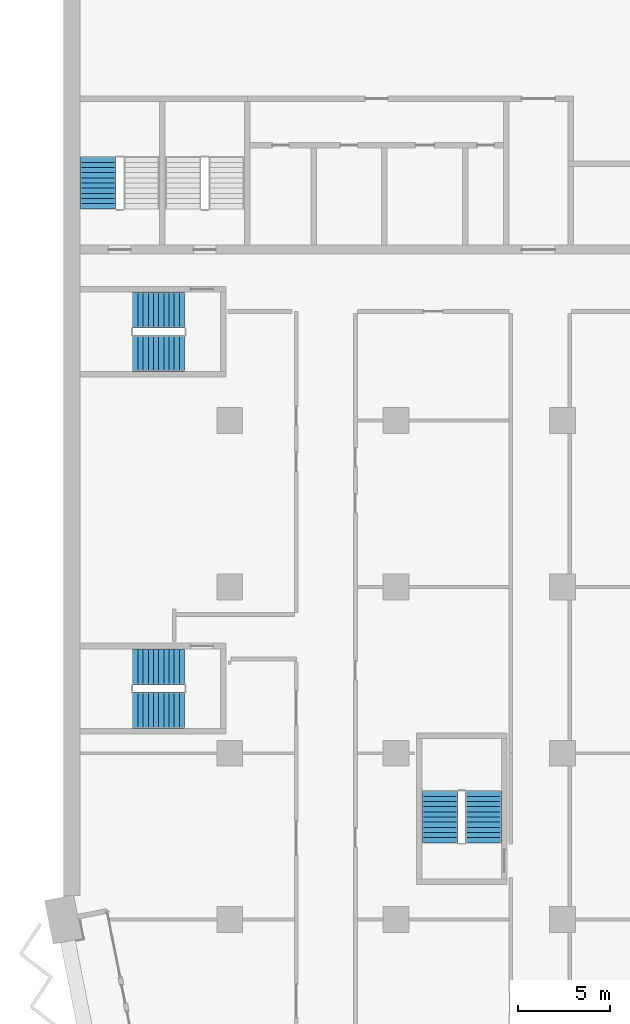
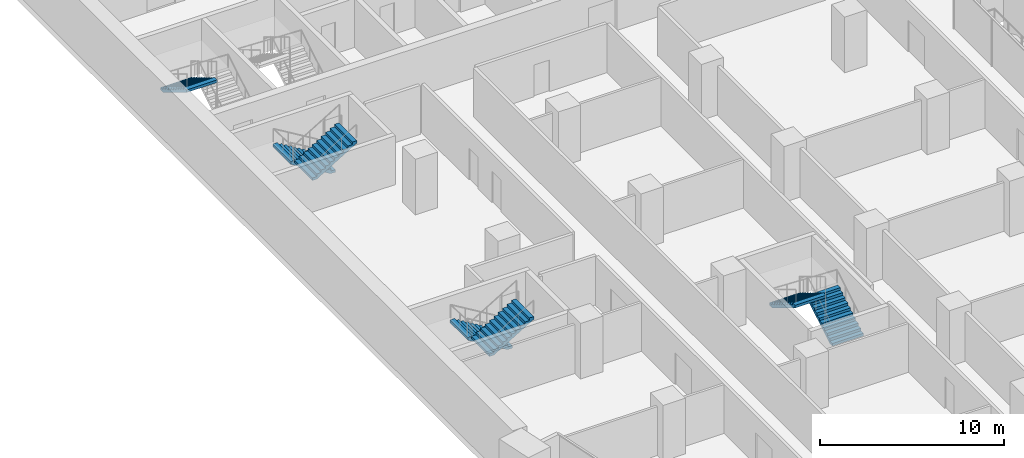
# One storey, part 19 of 28: 7 stair flights, 4 elements without a shape of their own.
"""IFC4 building model written with IfcOpenShell, lengths in metres."""

from ifc_helpers import new_model, si_unit, direction, frame, origin, place, context, subcontext, project, spatial, polyline, outline, extrude, material, type_object, element, aggregate, save


model = new_model("IFC4")

# Units and contexts
model_context = context("Model", 3, precision=1e-05, world=origin(), true_north=direction((0.0, 1.0)))
body_context = subcontext(model_context, "Body", "Model", "MODEL_VIEW")
ifc_project = project(units=[si_unit("LENGTHUNIT", "METRE"), si_unit("AREAUNIT", "SQUARE_METRE"), si_unit("VOLUMEUNIT", "CUBIC_METRE"), si_unit("PLANEANGLEUNIT", "RADIAN"), si_unit("MASSUNIT", "GRAM", prefix="KILO")], contexts=[model_context])

# Site, building, storey
site_placement = place(None, origin())
site = spatial("IfcSite", under=ifc_project, at=site_placement, CompositionType="ELEMENT")
building_placement = place(site_placement, origin())
building = spatial("IfcBuilding", under=site, at=building_placement, Name="Hunhe Ridgeline Campus", CompositionType="ELEMENT")
storey_placement = place(building_placement, frame((0.0, 0.0, 76.5)))
storey = spatial("IfcBuildingStorey", under=building, at=storey_placement, Name="L18", CompositionType="ELEMENT", Elevation=76.5)

# Stair, stair flight
ifc_material = material(Name="Concrete C40", Category="concrete")
stair_type = type_object("IfcStairType", Name="Reinforced concrete dog-leg stair 1950 Concrete C40", PredefinedType="HALF_TURN_STAIR", material=ifc_material)
stair_1_placement = place(storey_placement, origin())
stair_1 = element("IfcStair", 1, at=stair_1_placement, inside=storey, type_object=stair_type, Name="L18 S3", PredefinedType="HALF_TURN_STAIR")
stair_flight_type = type_object("IfcStairFlightType", Name="Reinforced concrete stair flight 1950 Concrete C40", PredefinedType="STRAIGHT", material=ifc_material)
stair_flight_1_placement = place(storey_placement, frame((1.875, 68.25, 1.85009765625), z_axis=(0.0, 0.0, 1.0), x_axis=(0.0, -1.0, 0.0)))
stair_flight_1 = element("IfcStairFlight", 2, at=stair_flight_1_placement, type_object=stair_flight_type, Name="ST3 flight 2", NumberOfRisers=11, NumberOfTreads=10, PredefinedType="STRAIGHT", RiserHeight=0.168181818, TreadLength=0.28, context=body_context, shape_type="SweptSolid", body=[
    extrude(outline(polyline([(0.0, 0.0), (0.0, 0.168212890625), (0.280029296875, 0.168212890625), (0.280029296875, 0.33642578125), (0.56005859375, 0.33642578125), (0.56005859375, 0.504638671875), (0.840087890625, 0.504638671875), (0.840087890625, 0.672607421875), (1.1201171875, 0.672607421875), (1.1201171875, 0.8408203125), (1.39990234375, 0.8408203125), (1.39990234375, 1.009033203125), (1.679931640625, 1.009033203125), (1.679931640625, 1.17724609375), (1.9599609375, 1.17724609375), (1.9599609375, 1.345458984375), (2.239990234375, 1.345458984375), (2.239990234375, 1.513671875), (2.52001953125, 1.513671875), (2.52001953125, 1.681884765625), (2.800048828125, 1.681884765625), (2.800048828125, 1.85009765625), (2.800048828125, 1.5068359375), (0.291015625, 0.0), (0.0, 0.0)])), frame((0.0, 0.97509765625, 0.0), z_axis=(0.0, -1.0, 0.0), x_axis=(1.0, 0.0, 0.0)), (0.0, 0.0, 1.0), 1.949951171875),
    extrude(outline(polyline([(0.030029296875, 0.030029296875), (0.030029296875, 0.13818359375), (0.31005859375, 0.13818359375), (0.31005859375, 0.306396484375), (0.590087890625, 0.306396484375), (0.590087890625, 0.474609375), (0.8701171875, 0.474609375), (0.8701171875, 0.642578125), (1.14990234375, 0.642578125), (1.14990234375, 0.810791015625), (1.429931640625, 0.810791015625), (1.429931640625, 0.97900390625), (1.7099609375, 0.97900390625), (1.7099609375, 1.147216796875), (1.989990234375, 1.147216796875), (1.989990234375, 1.3154296875), (2.27001953125, 1.3154296875), (2.27001953125, 1.483642578125), (2.550048828125, 1.483642578125), (2.550048828125, 1.65185546875), (2.77001953125, 1.65185546875), (2.77001953125, 1.52392578125), (0.28271484375, 0.030029296875), (0.030029296875, 0.030029296875)])), frame((0.0, -0.070068359375, 0.0), z_axis=(0.0, -1.0, 0.0), x_axis=(1.0, 0.0, 0.0)), (0.0, 0.0, 1.0), 0.019775390625),
    extrude(outline(polyline([(0.030029296875, 0.030029296875), (0.030029296875, 0.13818359375), (0.31005859375, 0.13818359375), (0.31005859375, 0.306396484375), (0.590087890625, 0.306396484375), (0.590087890625, 0.474609375), (0.8701171875, 0.474609375), (0.8701171875, 0.642578125), (1.14990234375, 0.642578125), (1.14990234375, 0.810791015625), (1.429931640625, 0.810791015625), (1.429931640625, 0.97900390625), (1.7099609375, 0.97900390625), (1.7099609375, 1.147216796875), (1.989990234375, 1.147216796875), (1.989990234375, 1.3154296875), (2.27001953125, 1.3154296875), (2.27001953125, 1.483642578125), (2.550048828125, 1.483642578125), (2.550048828125, 1.65185546875), (2.77001953125, 1.65185546875), (2.77001953125, 1.52392578125), (0.28271484375, 0.030029296875), (0.030029296875, 0.030029296875)])), frame((0.0, 0.010009765625, 0.0), z_axis=(0.0, -1.0, 0.0), x_axis=(1.0, 0.0, 0.0)), (0.0, 0.0, 1.0), 0.019775390625),
    extrude(outline(polyline([(0.030029296875, 0.030029296875), (0.030029296875, 0.13818359375), (0.31005859375, 0.13818359375), (0.31005859375, 0.306396484375), (0.590087890625, 0.306396484375), (0.590087890625, 0.474609375), (0.8701171875, 0.474609375), (0.8701171875, 0.642578125), (1.14990234375, 0.642578125), (1.14990234375, 0.810791015625), (1.429931640625, 0.810791015625), (1.429931640625, 0.97900390625), (1.7099609375, 0.97900390625), (1.7099609375, 1.147216796875), (1.989990234375, 1.147216796875), (1.989990234375, 1.3154296875), (2.27001953125, 1.3154296875), (2.27001953125, 1.483642578125), (2.550048828125, 1.483642578125), (2.550048828125, 1.65185546875), (2.77001953125, 1.65185546875), (2.77001953125, 1.52392578125), (0.28271484375, 0.030029296875), (0.030029296875, 0.030029296875)])), frame((0.0, 0.090087890625, 0.0), z_axis=(0.0, -1.0, 0.0), x_axis=(1.0, 0.0, 0.0)), (0.0, 0.0, 1.0), 0.019775390625),
])
aggregate(stair_1, [stair_flight_1])

# Stair, stair flights
stair_2_placement = place(storey_placement, origin())
stair_2 = element("IfcStair", 3, at=stair_2_placement, inside=storey, type_object=stair_type, Name="L18 W3", PredefinedType="HALF_TURN_STAIR")
stair_flight_2_placement = place(storey_placement, frame((22.72509765625, 31.14990234375, 0.0), z_axis=(0.0, 0.0, 1.0), x_axis=(0.0, 1.0, 0.0)))
stair_flight_2 = element("IfcStairFlight", 4, at=stair_flight_2_placement, type_object=stair_flight_type, Name="ST9 flight 1", NumberOfRisers=11, NumberOfTreads=10, PredefinedType="STRAIGHT", RiserHeight=0.168181818, TreadLength=0.28, context=body_context, shape_type="SweptSolid", body=[
    extrude(outline(polyline([(0.0, 0.0), (0.0, 0.168212890625), (0.280029296875, 0.168212890625), (0.280029296875, 0.33642578125), (0.56005859375, 0.33642578125), (0.56005859375, 0.504638671875), (0.840087890625, 0.504638671875), (0.840087890625, 0.672607421875), (1.1201171875, 0.672607421875), (1.1201171875, 0.8408203125), (1.39990234375, 0.8408203125), (1.39990234375, 1.009033203125), (1.679931640625, 1.009033203125), (1.679931640625, 1.17724609375), (1.9599609375, 1.17724609375), (1.9599609375, 1.345458984375), (2.239990234375, 1.345458984375), (2.239990234375, 1.513671875), (2.52001953125, 1.513671875), (2.52001953125, 1.681884765625), (2.800048828125, 1.681884765625), (2.800048828125, 1.85009765625), (2.800048828125, 1.5068359375), (0.291015625, 0.0), (0.0, 0.0)])), frame((0.0, 0.97509765625, 0.0), z_axis=(0.0, -1.0, 0.0), x_axis=(1.0, 0.0, 0.0)), (0.0, 0.0, 1.0), 1.949951171875),
    extrude(outline(polyline([(0.030029296875, 0.030029296875), (0.030029296875, 0.13818359375), (0.31005859375, 0.13818359375), (0.31005859375, 0.306396484375), (0.590087890625, 0.306396484375), (0.590087890625, 0.474609375), (0.8701171875, 0.474609375), (0.8701171875, 0.642578125), (1.14990234375, 0.642578125), (1.14990234375, 0.810791015625), (1.429931640625, 0.810791015625), (1.429931640625, 0.97900390625), (1.7099609375, 0.97900390625), (1.7099609375, 1.147216796875), (1.989990234375, 1.147216796875), (1.989990234375, 1.3154296875), (2.27001953125, 1.3154296875), (2.27001953125, 1.483642578125), (2.550048828125, 1.483642578125), (2.550048828125, 1.65185546875), (2.77001953125, 1.65185546875), (2.77001953125, 1.52392578125), (0.28271484375, 0.030029296875), (0.030029296875, 0.030029296875)])), frame((0.0, -0.070068359375, 0.0), z_axis=(0.0, -1.0, 0.0), x_axis=(1.0, 0.0, 0.0)), (0.0, 0.0, 1.0), 0.019775390625),
    extrude(outline(polyline([(0.030029296875, 0.030029296875), (0.030029296875, 0.13818359375), (0.31005859375, 0.13818359375), (0.31005859375, 0.306396484375), (0.590087890625, 0.306396484375), (0.590087890625, 0.474609375), (0.8701171875, 0.474609375), (0.8701171875, 0.642578125), (1.14990234375, 0.642578125), (1.14990234375, 0.810791015625), (1.429931640625, 0.810791015625), (1.429931640625, 0.97900390625), (1.7099609375, 0.97900390625), (1.7099609375, 1.147216796875), (1.989990234375, 1.147216796875), (1.989990234375, 1.3154296875), (2.27001953125, 1.3154296875), (2.27001953125, 1.483642578125), (2.550048828125, 1.483642578125), (2.550048828125, 1.65185546875), (2.77001953125, 1.65185546875), (2.77001953125, 1.52392578125), (0.28271484375, 0.030029296875), (0.030029296875, 0.030029296875)])), frame((0.0, 0.010009765625, 0.0), z_axis=(0.0, -1.0, 0.0), x_axis=(1.0, 0.0, 0.0)), (0.0, 0.0, 1.0), 0.019775390625),
    extrude(outline(polyline([(0.030029296875, 0.030029296875), (0.030029296875, 0.13818359375), (0.31005859375, 0.13818359375), (0.31005859375, 0.306396484375), (0.590087890625, 0.306396484375), (0.590087890625, 0.474609375), (0.8701171875, 0.474609375), (0.8701171875, 0.642578125), (1.14990234375, 0.642578125), (1.14990234375, 0.810791015625), (1.429931640625, 0.810791015625), (1.429931640625, 0.97900390625), (1.7099609375, 0.97900390625), (1.7099609375, 1.147216796875), (1.989990234375, 1.147216796875), (1.989990234375, 1.3154296875), (2.27001953125, 1.3154296875), (2.27001953125, 1.483642578125), (2.550048828125, 1.483642578125), (2.550048828125, 1.65185546875), (2.77001953125, 1.65185546875), (2.77001953125, 1.52392578125), (0.28271484375, 0.030029296875), (0.030029296875, 0.030029296875)])), frame((0.0, 0.090087890625, 0.0), z_axis=(0.0, -1.0, 0.0), x_axis=(1.0, 0.0, 0.0)), (0.0, 0.0, 1.0), 0.019775390625),
])
stair_flight_3_placement = place(storey_placement, frame((20.375, 33.949951171875, 1.85009765625), z_axis=(0.0, 0.0, 1.0), x_axis=(0.0, -1.0, 0.0)))
stair_flight_3 = element("IfcStairFlight", 5, at=stair_flight_3_placement, type_object=stair_flight_type, Name="ST9 flight 2", NumberOfRisers=11, NumberOfTreads=10, PredefinedType="STRAIGHT", RiserHeight=0.168181818, TreadLength=0.28, context=body_context, shape_type="SweptSolid", body=[
    extrude(outline(polyline([(0.0, 0.0), (0.0, 0.168212890625), (0.280029296875, 0.168212890625), (0.280029296875, 0.33642578125), (0.56005859375, 0.33642578125), (0.56005859375, 0.504638671875), (0.840087890625, 0.504638671875), (0.840087890625, 0.672607421875), (1.1201171875, 0.672607421875), (1.1201171875, 0.8408203125), (1.39990234375, 0.8408203125), (1.39990234375, 1.009033203125), (1.679931640625, 1.009033203125), (1.679931640625, 1.17724609375), (1.9599609375, 1.17724609375), (1.9599609375, 1.345458984375), (2.239990234375, 1.345458984375), (2.239990234375, 1.513671875), (2.52001953125, 1.513671875), (2.52001953125, 1.681884765625), (2.800048828125, 1.681884765625), (2.800048828125, 1.85009765625), (2.800048828125, 1.5068359375), (0.291015625, 0.0), (0.0, 0.0)])), frame((0.0, 0.97509765625, 0.0), z_axis=(0.0, -1.0, 0.0), x_axis=(1.0, 0.0, 0.0)), (0.0, 0.0, 1.0), 1.949951171875),
    extrude(outline(polyline([(0.030029296875, 0.030029296875), (0.030029296875, 0.13818359375), (0.31005859375, 0.13818359375), (0.31005859375, 0.306396484375), (0.590087890625, 0.306396484375), (0.590087890625, 0.474609375), (0.8701171875, 0.474609375), (0.8701171875, 0.642578125), (1.14990234375, 0.642578125), (1.14990234375, 0.810791015625), (1.429931640625, 0.810791015625), (1.429931640625, 0.97900390625), (1.7099609375, 0.97900390625), (1.7099609375, 1.147216796875), (1.989990234375, 1.147216796875), (1.989990234375, 1.3154296875), (2.27001953125, 1.3154296875), (2.27001953125, 1.483642578125), (2.550048828125, 1.483642578125), (2.550048828125, 1.65185546875), (2.77001953125, 1.65185546875), (2.77001953125, 1.52392578125), (0.28271484375, 0.030029296875), (0.030029296875, 0.030029296875)])), frame((0.0, -0.070068359375, 0.0), z_axis=(0.0, -1.0, 0.0), x_axis=(1.0, 0.0, 0.0)), (0.0, 0.0, 1.0), 0.019775390625),
    extrude(outline(polyline([(0.030029296875, 0.030029296875), (0.030029296875, 0.13818359375), (0.31005859375, 0.13818359375), (0.31005859375, 0.306396484375), (0.590087890625, 0.306396484375), (0.590087890625, 0.474609375), (0.8701171875, 0.474609375), (0.8701171875, 0.642578125), (1.14990234375, 0.642578125), (1.14990234375, 0.810791015625), (1.429931640625, 0.810791015625), (1.429931640625, 0.97900390625), (1.7099609375, 0.97900390625), (1.7099609375, 1.147216796875), (1.989990234375, 1.147216796875), (1.989990234375, 1.3154296875), (2.27001953125, 1.3154296875), (2.27001953125, 1.483642578125), (2.550048828125, 1.483642578125), (2.550048828125, 1.65185546875), (2.77001953125, 1.65185546875), (2.77001953125, 1.52392578125), (0.28271484375, 0.030029296875), (0.030029296875, 0.030029296875)])), frame((0.0, 0.010009765625, 0.0), z_axis=(0.0, -1.0, 0.0), x_axis=(1.0, 0.0, 0.0)), (0.0, 0.0, 1.0), 0.019775390625),
    extrude(outline(polyline([(0.030029296875, 0.030029296875), (0.030029296875, 0.13818359375), (0.31005859375, 0.13818359375), (0.31005859375, 0.306396484375), (0.590087890625, 0.306396484375), (0.590087890625, 0.474609375), (0.8701171875, 0.474609375), (0.8701171875, 0.642578125), (1.14990234375, 0.642578125), (1.14990234375, 0.810791015625), (1.429931640625, 0.810791015625), (1.429931640625, 0.97900390625), (1.7099609375, 0.97900390625), (1.7099609375, 1.147216796875), (1.989990234375, 1.147216796875), (1.989990234375, 1.3154296875), (2.27001953125, 1.3154296875), (2.27001953125, 1.483642578125), (2.550048828125, 1.483642578125), (2.550048828125, 1.65185546875), (2.77001953125, 1.65185546875), (2.77001953125, 1.52392578125), (0.28271484375, 0.030029296875), (0.030029296875, 0.030029296875)])), frame((0.0, 0.090087890625, 0.0), z_axis=(0.0, -1.0, 0.0), x_axis=(1.0, 0.0, 0.0)), (0.0, 0.0, 1.0), 0.019775390625),
])
aggregate(stair_2, [stair_flight_2, stair_flight_3])

stair_3_placement = place(storey_placement, origin())
stair_3 = element("IfcStair", 6, at=stair_3_placement, inside=storey, type_object=stair_type, Name="L18 W1", PredefinedType="HALF_TURN_STAIR")
stair_flight_4_placement = place(storey_placement, frame((6.550048828125, 40.675048828125, 0.0), z_axis=(0.0, 0.0, 1.0), x_axis=(-1.0, 0.0, 0.0)))
stair_flight_4 = element("IfcStairFlight", 7, at=stair_flight_4_placement, type_object=stair_flight_type, Name="ST11 flight 1", NumberOfRisers=11, NumberOfTreads=10, PredefinedType="STRAIGHT", RiserHeight=0.168181818, TreadLength=0.28, context=body_context, shape_type="SweptSolid", body=[
    extrude(outline(polyline([(0.0, 0.0), (0.0, 0.168212890625), (0.280029296875, 0.168212890625), (0.280029296875, 0.33642578125), (0.56005859375, 0.33642578125), (0.56005859375, 0.504638671875), (0.840087890625, 0.504638671875), (0.840087890625, 0.672607421875), (1.1201171875, 0.672607421875), (1.1201171875, 0.8408203125), (1.39990234375, 0.8408203125), (1.39990234375, 1.009033203125), (1.679931640625, 1.009033203125), (1.679931640625, 1.17724609375), (1.9599609375, 1.17724609375), (1.9599609375, 1.345458984375), (2.239990234375, 1.345458984375), (2.239990234375, 1.513671875), (2.52001953125, 1.513671875), (2.52001953125, 1.681884765625), (2.800048828125, 1.681884765625), (2.800048828125, 1.85009765625), (2.800048828125, 1.5068359375), (0.291015625, 0.0), (0.0, 0.0)])), frame((0.0, 0.97509765625, 0.0), z_axis=(0.0, -1.0, 0.0), x_axis=(1.0, 0.0, 0.0)), (0.0, 0.0, 1.0), 1.949951171875),
    extrude(outline(polyline([(0.030029296875, 0.030029296875), (0.030029296875, 0.13818359375), (0.31005859375, 0.13818359375), (0.31005859375, 0.306396484375), (0.590087890625, 0.306396484375), (0.590087890625, 0.474609375), (0.8701171875, 0.474609375), (0.8701171875, 0.642578125), (1.14990234375, 0.642578125), (1.14990234375, 0.810791015625), (1.429931640625, 0.810791015625), (1.429931640625, 0.97900390625), (1.7099609375, 0.97900390625), (1.7099609375, 1.147216796875), (1.989990234375, 1.147216796875), (1.989990234375, 1.3154296875), (2.27001953125, 1.3154296875), (2.27001953125, 1.483642578125), (2.550048828125, 1.483642578125), (2.550048828125, 1.65185546875), (2.77001953125, 1.65185546875), (2.77001953125, 1.52392578125), (0.28271484375, 0.030029296875), (0.030029296875, 0.030029296875)])), frame((0.0, -0.070068359375, 0.0), z_axis=(0.0, -1.0, 0.0), x_axis=(1.0, 0.0, 0.0)), (0.0, 0.0, 1.0), 0.019775390625),
    extrude(outline(polyline([(0.030029296875, 0.030029296875), (0.030029296875, 0.13818359375), (0.31005859375, 0.13818359375), (0.31005859375, 0.306396484375), (0.590087890625, 0.306396484375), (0.590087890625, 0.474609375), (0.8701171875, 0.474609375), (0.8701171875, 0.642578125), (1.14990234375, 0.642578125), (1.14990234375, 0.810791015625), (1.429931640625, 0.810791015625), (1.429931640625, 0.97900390625), (1.7099609375, 0.97900390625), (1.7099609375, 1.147216796875), (1.989990234375, 1.147216796875), (1.989990234375, 1.3154296875), (2.27001953125, 1.3154296875), (2.27001953125, 1.483642578125), (2.550048828125, 1.483642578125), (2.550048828125, 1.65185546875), (2.77001953125, 1.65185546875), (2.77001953125, 1.52392578125), (0.28271484375, 0.030029296875), (0.030029296875, 0.030029296875)])), frame((0.0, 0.010009765625, 0.0), z_axis=(0.0, -1.0, 0.0), x_axis=(1.0, 0.0, 0.0)), (0.0, 0.0, 1.0), 0.019775390625),
    extrude(outline(polyline([(0.030029296875, 0.030029296875), (0.030029296875, 0.13818359375), (0.31005859375, 0.13818359375), (0.31005859375, 0.306396484375), (0.590087890625, 0.306396484375), (0.590087890625, 0.474609375), (0.8701171875, 0.474609375), (0.8701171875, 0.642578125), (1.14990234375, 0.642578125), (1.14990234375, 0.810791015625), (1.429931640625, 0.810791015625), (1.429931640625, 0.97900390625), (1.7099609375, 0.97900390625), (1.7099609375, 1.147216796875), (1.989990234375, 1.147216796875), (1.989990234375, 1.3154296875), (2.27001953125, 1.3154296875), (2.27001953125, 1.483642578125), (2.550048828125, 1.483642578125), (2.550048828125, 1.65185546875), (2.77001953125, 1.65185546875), (2.77001953125, 1.52392578125), (0.28271484375, 0.030029296875), (0.030029296875, 0.030029296875)])), frame((0.0, 0.090087890625, 0.0), z_axis=(0.0, -1.0, 0.0), x_axis=(1.0, 0.0, 0.0)), (0.0, 0.0, 1.0), 0.019775390625),
])
stair_flight_5_placement = place(storey_placement, frame((3.75, 38.324951171875, 1.85009765625), z_axis=(0.0, 0.0, 1.0), x_axis=(1.0, 0.0, 0.0)))
stair_flight_5 = element("IfcStairFlight", 8, at=stair_flight_5_placement, type_object=stair_flight_type, Name="ST11 flight 2", NumberOfRisers=11, NumberOfTreads=10, PredefinedType="STRAIGHT", RiserHeight=0.168181818, TreadLength=0.28, context=body_context, shape_type="SweptSolid", body=[
    extrude(outline(polyline([(0.0, 0.0), (0.0, 0.168212890625), (0.280029296875, 0.168212890625), (0.280029296875, 0.33642578125), (0.56005859375, 0.33642578125), (0.56005859375, 0.504638671875), (0.840087890625, 0.504638671875), (0.840087890625, 0.672607421875), (1.1201171875, 0.672607421875), (1.1201171875, 0.8408203125), (1.39990234375, 0.8408203125), (1.39990234375, 1.009033203125), (1.679931640625, 1.009033203125), (1.679931640625, 1.17724609375), (1.9599609375, 1.17724609375), (1.9599609375, 1.345458984375), (2.239990234375, 1.345458984375), (2.239990234375, 1.513671875), (2.52001953125, 1.513671875), (2.52001953125, 1.681884765625), (2.800048828125, 1.681884765625), (2.800048828125, 1.85009765625), (2.800048828125, 1.5068359375), (0.291015625, 0.0), (0.0, 0.0)])), frame((0.0, 0.97509765625, 0.0), z_axis=(0.0, -1.0, 0.0), x_axis=(1.0, 0.0, 0.0)), (0.0, 0.0, 1.0), 1.949951171875),
    extrude(outline(polyline([(0.030029296875, 0.030029296875), (0.030029296875, 0.13818359375), (0.31005859375, 0.13818359375), (0.31005859375, 0.306396484375), (0.590087890625, 0.306396484375), (0.590087890625, 0.474609375), (0.8701171875, 0.474609375), (0.8701171875, 0.642578125), (1.14990234375, 0.642578125), (1.14990234375, 0.810791015625), (1.429931640625, 0.810791015625), (1.429931640625, 0.97900390625), (1.7099609375, 0.97900390625), (1.7099609375, 1.147216796875), (1.989990234375, 1.147216796875), (1.989990234375, 1.3154296875), (2.27001953125, 1.3154296875), (2.27001953125, 1.483642578125), (2.550048828125, 1.483642578125), (2.550048828125, 1.65185546875), (2.77001953125, 1.65185546875), (2.77001953125, 1.52392578125), (0.28271484375, 0.030029296875), (0.030029296875, 0.030029296875)])), frame((0.0, -0.070068359375, 0.0), z_axis=(0.0, -1.0, 0.0), x_axis=(1.0, 0.0, 0.0)), (0.0, 0.0, 1.0), 0.019775390625),
    extrude(outline(polyline([(0.030029296875, 0.030029296875), (0.030029296875, 0.13818359375), (0.31005859375, 0.13818359375), (0.31005859375, 0.306396484375), (0.590087890625, 0.306396484375), (0.590087890625, 0.474609375), (0.8701171875, 0.474609375), (0.8701171875, 0.642578125), (1.14990234375, 0.642578125), (1.14990234375, 0.810791015625), (1.429931640625, 0.810791015625), (1.429931640625, 0.97900390625), (1.7099609375, 0.97900390625), (1.7099609375, 1.147216796875), (1.989990234375, 1.147216796875), (1.989990234375, 1.3154296875), (2.27001953125, 1.3154296875), (2.27001953125, 1.483642578125), (2.550048828125, 1.483642578125), (2.550048828125, 1.65185546875), (2.77001953125, 1.65185546875), (2.77001953125, 1.52392578125), (0.28271484375, 0.030029296875), (0.030029296875, 0.030029296875)])), frame((0.0, 0.010009765625, 0.0), z_axis=(0.0, -1.0, 0.0), x_axis=(1.0, 0.0, 0.0)), (0.0, 0.0, 1.0), 0.019775390625),
    extrude(outline(polyline([(0.030029296875, 0.030029296875), (0.030029296875, 0.13818359375), (0.31005859375, 0.13818359375), (0.31005859375, 0.306396484375), (0.590087890625, 0.306396484375), (0.590087890625, 0.474609375), (0.8701171875, 0.474609375), (0.8701171875, 0.642578125), (1.14990234375, 0.642578125), (1.14990234375, 0.810791015625), (1.429931640625, 0.810791015625), (1.429931640625, 0.97900390625), (1.7099609375, 0.97900390625), (1.7099609375, 1.147216796875), (1.989990234375, 1.147216796875), (1.989990234375, 1.3154296875), (2.27001953125, 1.3154296875), (2.27001953125, 1.483642578125), (2.550048828125, 1.483642578125), (2.550048828125, 1.65185546875), (2.77001953125, 1.65185546875), (2.77001953125, 1.52392578125), (0.28271484375, 0.030029296875), (0.030029296875, 0.030029296875)])), frame((0.0, 0.090087890625, 0.0), z_axis=(0.0, -1.0, 0.0), x_axis=(1.0, 0.0, 0.0)), (0.0, 0.0, 1.0), 0.019775390625),
])
aggregate(stair_3, [stair_flight_4, stair_flight_5])

stair_4_placement = place(storey_placement, origin())
stair_4 = element("IfcStair", 9, at=stair_4_placement, inside=storey, type_object=stair_type, Name="L18 W2", PredefinedType="HALF_TURN_STAIR")
stair_flight_6_placement = place(storey_placement, frame((6.550048828125, 59.97509765625, 0.0), z_axis=(0.0, 0.0, 1.0), x_axis=(-1.0, 0.0, 0.0)))
stair_flight_6 = element("IfcStairFlight", 10, at=stair_flight_6_placement, type_object=stair_flight_type, Name="ST12 flight 1", NumberOfRisers=11, NumberOfTreads=10, PredefinedType="STRAIGHT", RiserHeight=0.168181818, TreadLength=0.28, context=body_context, shape_type="SweptSolid", body=[
    extrude(outline(polyline([(0.0, 0.0), (0.0, 0.168212890625), (0.280029296875, 0.168212890625), (0.280029296875, 0.33642578125), (0.56005859375, 0.33642578125), (0.56005859375, 0.504638671875), (0.840087890625, 0.504638671875), (0.840087890625, 0.672607421875), (1.1201171875, 0.672607421875), (1.1201171875, 0.8408203125), (1.39990234375, 0.8408203125), (1.39990234375, 1.009033203125), (1.679931640625, 1.009033203125), (1.679931640625, 1.17724609375), (1.9599609375, 1.17724609375), (1.9599609375, 1.345458984375), (2.239990234375, 1.345458984375), (2.239990234375, 1.513671875), (2.52001953125, 1.513671875), (2.52001953125, 1.681884765625), (2.800048828125, 1.681884765625), (2.800048828125, 1.85009765625), (2.800048828125, 1.5068359375), (0.291015625, 0.0), (0.0, 0.0)])), frame((0.0, 0.97509765625, 0.0), z_axis=(0.0, -1.0, 0.0), x_axis=(1.0, 0.0, 0.0)), (0.0, 0.0, 1.0), 1.949951171875),
    extrude(outline(polyline([(0.030029296875, 0.030029296875), (0.030029296875, 0.13818359375), (0.31005859375, 0.13818359375), (0.31005859375, 0.306396484375), (0.590087890625, 0.306396484375), (0.590087890625, 0.474609375), (0.8701171875, 0.474609375), (0.8701171875, 0.642578125), (1.14990234375, 0.642578125), (1.14990234375, 0.810791015625), (1.429931640625, 0.810791015625), (1.429931640625, 0.97900390625), (1.7099609375, 0.97900390625), (1.7099609375, 1.147216796875), (1.989990234375, 1.147216796875), (1.989990234375, 1.3154296875), (2.27001953125, 1.3154296875), (2.27001953125, 1.483642578125), (2.550048828125, 1.483642578125), (2.550048828125, 1.65185546875), (2.77001953125, 1.65185546875), (2.77001953125, 1.52392578125), (0.28271484375, 0.030029296875), (0.030029296875, 0.030029296875)])), frame((0.0, -0.070068359375, 0.0), z_axis=(0.0, -1.0, 0.0), x_axis=(1.0, 0.0, 0.0)), (0.0, 0.0, 1.0), 0.019775390625),
    extrude(outline(polyline([(0.030029296875, 0.030029296875), (0.030029296875, 0.13818359375), (0.31005859375, 0.13818359375), (0.31005859375, 0.306396484375), (0.590087890625, 0.306396484375), (0.590087890625, 0.474609375), (0.8701171875, 0.474609375), (0.8701171875, 0.642578125), (1.14990234375, 0.642578125), (1.14990234375, 0.810791015625), (1.429931640625, 0.810791015625), (1.429931640625, 0.97900390625), (1.7099609375, 0.97900390625), (1.7099609375, 1.147216796875), (1.989990234375, 1.147216796875), (1.989990234375, 1.3154296875), (2.27001953125, 1.3154296875), (2.27001953125, 1.483642578125), (2.550048828125, 1.483642578125), (2.550048828125, 1.65185546875), (2.77001953125, 1.65185546875), (2.77001953125, 1.52392578125), (0.28271484375, 0.030029296875), (0.030029296875, 0.030029296875)])), frame((0.0, 0.010009765625, 0.0), z_axis=(0.0, -1.0, 0.0), x_axis=(1.0, 0.0, 0.0)), (0.0, 0.0, 1.0), 0.019775390625),
    extrude(outline(polyline([(0.030029296875, 0.030029296875), (0.030029296875, 0.13818359375), (0.31005859375, 0.13818359375), (0.31005859375, 0.306396484375), (0.590087890625, 0.306396484375), (0.590087890625, 0.474609375), (0.8701171875, 0.474609375), (0.8701171875, 0.642578125), (1.14990234375, 0.642578125), (1.14990234375, 0.810791015625), (1.429931640625, 0.810791015625), (1.429931640625, 0.97900390625), (1.7099609375, 0.97900390625), (1.7099609375, 1.147216796875), (1.989990234375, 1.147216796875), (1.989990234375, 1.3154296875), (2.27001953125, 1.3154296875), (2.27001953125, 1.483642578125), (2.550048828125, 1.483642578125), (2.550048828125, 1.65185546875), (2.77001953125, 1.65185546875), (2.77001953125, 1.52392578125), (0.28271484375, 0.030029296875), (0.030029296875, 0.030029296875)])), frame((0.0, 0.090087890625, 0.0), z_axis=(0.0, -1.0, 0.0), x_axis=(1.0, 0.0, 0.0)), (0.0, 0.0, 1.0), 0.019775390625),
])
stair_flight_7_placement = place(storey_placement, frame((3.75, 57.625, 1.85009765625), z_axis=(0.0, 0.0, 1.0), x_axis=(1.0, 0.0, 0.0)))
stair_flight_7 = element("IfcStairFlight", 11, at=stair_flight_7_placement, type_object=stair_flight_type, Name="ST12 flight 2", NumberOfRisers=11, NumberOfTreads=10, PredefinedType="STRAIGHT", RiserHeight=0.168181818, TreadLength=0.28, context=body_context, shape_type="SweptSolid", body=[
    extrude(outline(polyline([(0.0, 0.0), (0.0, 0.168212890625), (0.280029296875, 0.168212890625), (0.280029296875, 0.33642578125), (0.56005859375, 0.33642578125), (0.56005859375, 0.504638671875), (0.840087890625, 0.504638671875), (0.840087890625, 0.672607421875), (1.1201171875, 0.672607421875), (1.1201171875, 0.8408203125), (1.39990234375, 0.8408203125), (1.39990234375, 1.009033203125), (1.679931640625, 1.009033203125), (1.679931640625, 1.17724609375), (1.9599609375, 1.17724609375), (1.9599609375, 1.345458984375), (2.239990234375, 1.345458984375), (2.239990234375, 1.513671875), (2.52001953125, 1.513671875), (2.52001953125, 1.681884765625), (2.800048828125, 1.681884765625), (2.800048828125, 1.85009765625), (2.800048828125, 1.5068359375), (0.291015625, 0.0), (0.0, 0.0)])), frame((0.0, 0.97509765625, 0.0), z_axis=(0.0, -1.0, 0.0), x_axis=(1.0, 0.0, 0.0)), (0.0, 0.0, 1.0), 1.949951171875),
    extrude(outline(polyline([(0.030029296875, 0.030029296875), (0.030029296875, 0.13818359375), (0.31005859375, 0.13818359375), (0.31005859375, 0.306396484375), (0.590087890625, 0.306396484375), (0.590087890625, 0.474609375), (0.8701171875, 0.474609375), (0.8701171875, 0.642578125), (1.14990234375, 0.642578125), (1.14990234375, 0.810791015625), (1.429931640625, 0.810791015625), (1.429931640625, 0.97900390625), (1.7099609375, 0.97900390625), (1.7099609375, 1.147216796875), (1.989990234375, 1.147216796875), (1.989990234375, 1.3154296875), (2.27001953125, 1.3154296875), (2.27001953125, 1.483642578125), (2.550048828125, 1.483642578125), (2.550048828125, 1.65185546875), (2.77001953125, 1.65185546875), (2.77001953125, 1.52392578125), (0.28271484375, 0.030029296875), (0.030029296875, 0.030029296875)])), frame((0.0, -0.070068359375, 0.0), z_axis=(0.0, -1.0, 0.0), x_axis=(1.0, 0.0, 0.0)), (0.0, 0.0, 1.0), 0.019775390625),
    extrude(outline(polyline([(0.030029296875, 0.030029296875), (0.030029296875, 0.13818359375), (0.31005859375, 0.13818359375), (0.31005859375, 0.306396484375), (0.590087890625, 0.306396484375), (0.590087890625, 0.474609375), (0.8701171875, 0.474609375), (0.8701171875, 0.642578125), (1.14990234375, 0.642578125), (1.14990234375, 0.810791015625), (1.429931640625, 0.810791015625), (1.429931640625, 0.97900390625), (1.7099609375, 0.97900390625), (1.7099609375, 1.147216796875), (1.989990234375, 1.147216796875), (1.989990234375, 1.3154296875), (2.27001953125, 1.3154296875), (2.27001953125, 1.483642578125), (2.550048828125, 1.483642578125), (2.550048828125, 1.65185546875), (2.77001953125, 1.65185546875), (2.77001953125, 1.52392578125), (0.28271484375, 0.030029296875), (0.030029296875, 0.030029296875)])), frame((0.0, 0.010009765625, 0.0), z_axis=(0.0, -1.0, 0.0), x_axis=(1.0, 0.0, 0.0)), (0.0, 0.0, 1.0), 0.019775390625),
    extrude(outline(polyline([(0.030029296875, 0.030029296875), (0.030029296875, 0.13818359375), (0.31005859375, 0.13818359375), (0.31005859375, 0.306396484375), (0.590087890625, 0.306396484375), (0.590087890625, 0.474609375), (0.8701171875, 0.474609375), (0.8701171875, 0.642578125), (1.14990234375, 0.642578125), (1.14990234375, 0.810791015625), (1.429931640625, 0.810791015625), (1.429931640625, 0.97900390625), (1.7099609375, 0.97900390625), (1.7099609375, 1.147216796875), (1.989990234375, 1.147216796875), (1.989990234375, 1.3154296875), (2.27001953125, 1.3154296875), (2.27001953125, 1.483642578125), (2.550048828125, 1.483642578125), (2.550048828125, 1.65185546875), (2.77001953125, 1.65185546875), (2.77001953125, 1.52392578125), (0.28271484375, 0.030029296875), (0.030029296875, 0.030029296875)])), frame((0.0, 0.090087890625, 0.0), z_axis=(0.0, -1.0, 0.0), x_axis=(1.0, 0.0, 0.0)), (0.0, 0.0, 1.0), 0.019775390625),
])
aggregate(stair_4, [stair_flight_6, stair_flight_7])

save(model, "model.ifc")
